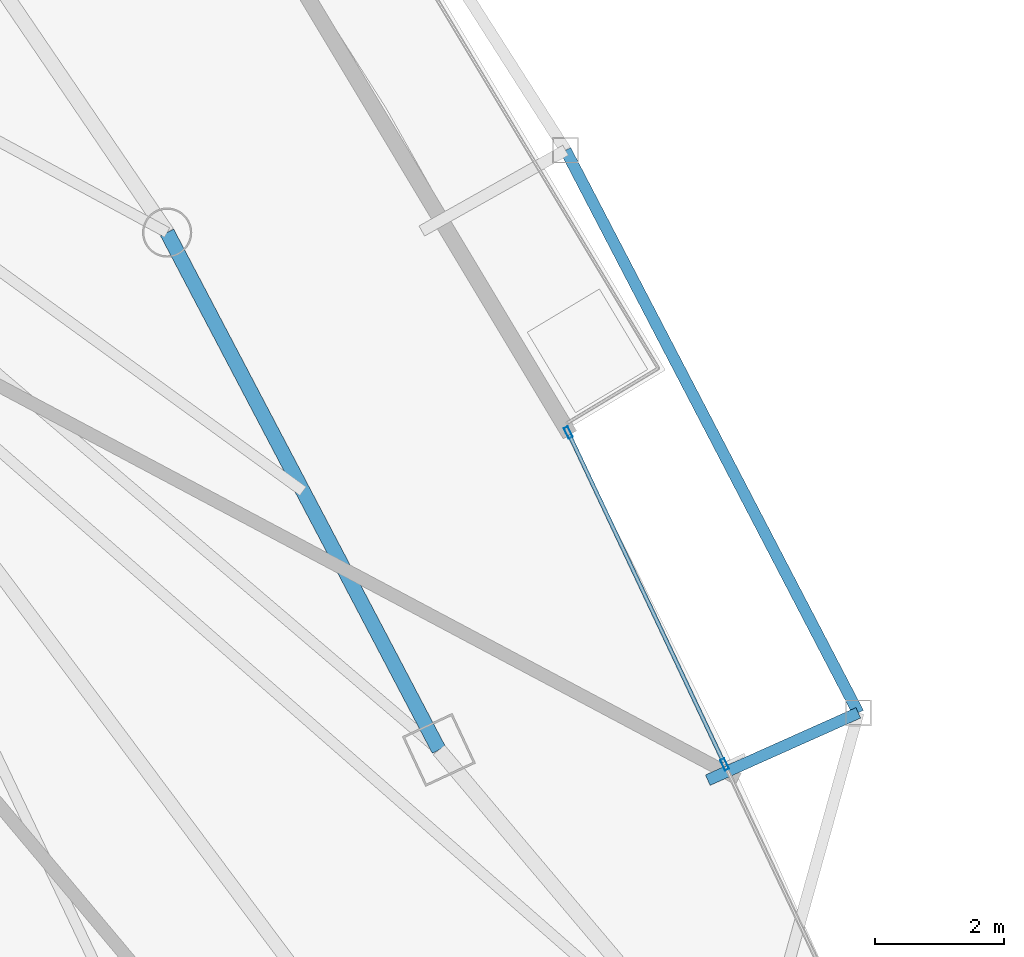
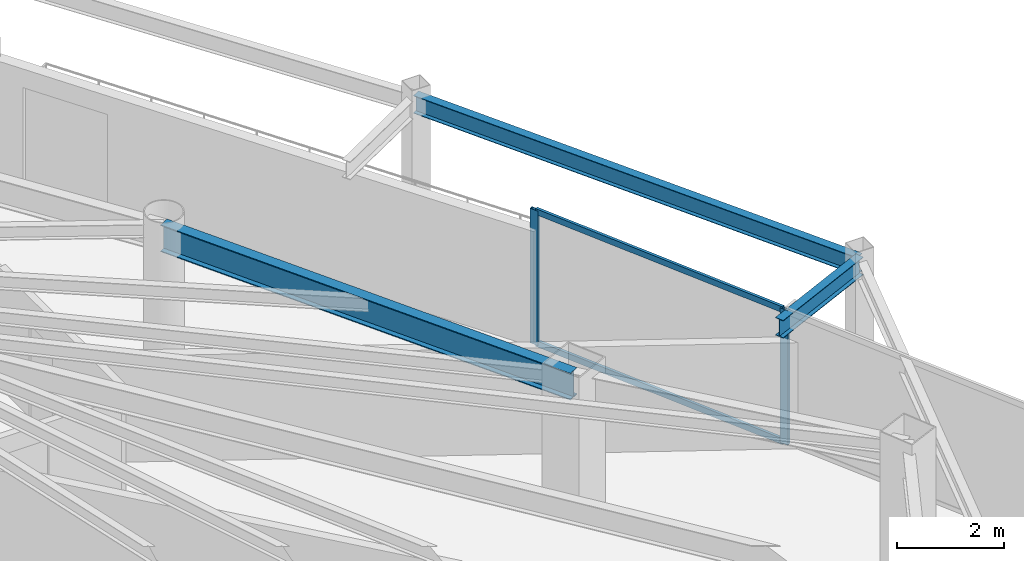
# One storey, part 17 of 31: 4 members, 3 beams, 1 element without a shape of its own.
"""IFC4 building model written with IfcOpenShell, lengths in metres."""

from ifc_helpers import new_model, si_unit, direction, frame, origin, origin_2d, place, context, subcontext, project, spatial, hollow_rectangle, i_section, extrude, material, layer, layer_set, material_profile, profile_set, type_object, element, aggregate, save


model = new_model("IFC4")

# Units and contexts
model_context = context("Model", 3, precision=1e-05, world=origin(), true_north=direction((0.0, 1.0)))
body_context = subcontext(model_context, "Body", "Model", "MODEL_VIEW")
ifc_project = project(units=[si_unit("LENGTHUNIT", "METRE"), si_unit("AREAUNIT", "SQUARE_METRE"), si_unit("VOLUMEUNIT", "CUBIC_METRE"), si_unit("PLANEANGLEUNIT", "RADIAN"), si_unit("MASSUNIT", "GRAM", prefix="KILO")], contexts=[model_context])

# Site, building, storey
site_placement = place(None, origin())
site = spatial("IfcSite", under=ifc_project, at=site_placement, CompositionType="ELEMENT")
building_placement = place(site_placement, origin())
building = spatial("IfcBuilding", under=site, at=building_placement, Name="Orvanel Arch Residences", CompositionType="ELEMENT")
storey_placement = place(building_placement, frame((0.0, 0.0, 129.800048828125)))
storey = spatial("IfcBuildingStorey", under=building, at=storey_placement, Name="L36", CompositionType="ELEMENT", Elevation=129.800048828125)

# Curtain wall, members
ifc_material_1 = material(Name="Bronze-anodised aluminium AA6063-T6", Category="aluminium")
ifc_layer = layer(ifc_material_1, 0.179931640625)
ifc_layer_set = layer_set([ifc_layer], Name="Bronze-anodised aluminium AA6063-T6")
curtain_wall_type = type_object("IfcCurtainWallType", Name="CW3-MID-SYS", PredefinedType="NOTDEFINED", material=ifc_layer_set)
curtain_wall_placement = place(storey_placement, origin())
curtain_wall = element("IfcCurtainWall", 1, at=curtain_wall_placement, inside=storey, type_object=curtain_wall_type, Name="L36 CW3-MID-SYS Unitised Curtain Wall", PredefinedType="NOTDEFINED")
ifc_material_profile_1 = material_profile(ifc_material_1, hollow_rectangle(XDim=0.070068359375, YDim=0.179931640625, WallThickness=0.00439453125, at=origin_2d()), Name="ALU180x70x4.5")
ifc_profile_set_1 = profile_set([ifc_material_profile_1], Name="Bronze-anodised aluminium AA6063-T6")
member_type_1 = type_object("IfcMemberType", Name="MUL-180x70", PredefinedType="MULLION", material=ifc_profile_set_1)
member_1_placement = place(storey_placement, frame((54.050537109375, 19.41796875, 0.0), z_axis=(0.0, 0.0, 1.0), x_axis=(-0.904626023981, -0.426206237326, 0.0)))
member_1 = element("IfcMember", 2, at=member_1_placement, type_object=member_type_1, Name="CW-S3 mullion 2", PredefinedType="MULLION", context=body_context, shape_type="SweptSolid", body=[
    extrude(hollow_rectangle(XDim=0.070068359375, YDim=0.179931640625, WallThickness=0.00439453125, at=origin_2d()), origin(), (0.0, 0.0, 1.0), 3.06005859375),
])
member_2_placement = place(storey_placement, frame((51.6328125, 24.54931640625, 0.0), z_axis=(0.0, 0.0, 1.0), x_axis=(-0.904626023981, -0.426206237326, 0.0)))
member_2 = element("IfcMember", 3, at=member_2_placement, type_object=member_type_1, Name="CW-S3 mullion 3", PredefinedType="MULLION", context=body_context, shape_type="SweptSolid", body=[
    extrude(hollow_rectangle(XDim=0.070068359375, YDim=0.179931640625, WallThickness=0.00439453125, at=origin_2d()), origin(), (0.0, 0.0, 1.0), 3.06005859375),
])

# Beams
ifc_material_2 = material(Name="Structural steel AS/NZS 3679.1 Grade 300 (300 MPa)", Category="steel")
ifc_material_profile_2 = material_profile(ifc_material_2, i_section(OverallWidth=0.177978515625, OverallDepth=0.406005859375, WebThickness=0.0078125, FlangeThickness=0.0126953125, at=origin_2d()), Name="410UB59.7")
ifc_profile_set_2 = profile_set([ifc_material_profile_2], Name="Structural steel AS/NZS 3679.1 Grade 300 (300 MPa)")
beam_type_1 = type_object("IfcBeamType", Name="OB-410UB-EXT", PredefinedType="SPANDREL", material=ifc_profile_set_2)
beam_1_placement = place(storey_placement, frame((53.7900390625, 19.174072265625, 2.85693359375), z_axis=(0.912877409739, 0.408233799174, 0.0), x_axis=(-0.408233799174, 0.912877409739, 0.0)))
element("IfcBeam", 4, at=beam_1_placement, inside=storey, type_object=beam_type_1, Name="L36 Outer Frame Radial Tie Beam 09", PredefinedType="SPANDREL", context=body_context, shape_type="SweptSolid", body=[
    extrude(i_section(OverallWidth=0.177978515625, OverallDepth=0.406005859375, WebThickness=0.0078125, FlangeThickness=0.0126953125, at=origin_2d()), origin(), (0.0, 0.0, 1.0), 2.550048828125),
])
beam_2_placement = place(storey_placement, frame((56.117919921875, 20.215087890625, 2.85693359375), z_axis=(-0.461546353988, 0.887116093373, 0.0), x_axis=(-0.887116093373, -0.461546353988, 0.0)))
element("IfcBeam", 5, at=beam_2_placement, inside=storey, type_object=beam_type_1, Name="L36 Outer Perimeter Floor Ring Beam 09", PredefinedType="SPANDREL", context=body_context, shape_type="SweptSolid", body=[
    extrude(i_section(OverallWidth=0.177978515625, OverallDepth=0.406005859375, WebThickness=0.0078125, FlangeThickness=0.0126953125, at=origin_2d()), origin(), (0.0, 0.0, 1.0), 9.805908203125),
])
ifc_material_profile_3 = material_profile(ifc_material_2, i_section(OverallWidth=0.22900390625, OverallDepth=0.612060546875, WebThickness=0.011962890625, FlangeThickness=0.01953125, at=origin_2d()), Name="610UB125")
ifc_profile_set_3 = profile_set([ifc_material_profile_3], Name="Structural steel AS/NZS 3679.1 Grade 300 (300 MPa)")
beam_type_2 = type_object("IfcBeamType", Name="SP-610UB", PredefinedType="SPANDREL", material=ifc_profile_set_3)
beam_3_placement = place(storey_placement, frame((49.633056640625, 19.64208984375, 2.75390625), z_axis=(-0.465064762793, 0.885276660942, 0.0), x_axis=(-0.885276660942, -0.465064762793, 0.0)))
element("IfcBeam", 6, at=beam_3_placement, inside=storey, type_object=beam_type_2, Name="L36 Perimeter Spandrel Beam 11", PredefinedType="SPANDREL", context=body_context, shape_type="SweptSolid", body=[
    extrude(i_section(OverallWidth=0.22900390625, OverallDepth=0.612060546875, WebThickness=0.011962890625, FlangeThickness=0.01953125, at=origin_2d()), origin(), (0.0, 0.0, 1.0), 9.03564453125),
])

# Member
ifc_material_profile_4 = material_profile(ifc_material_1, hollow_rectangle(XDim=0.06005859375, YDim=0.135009765625, WallThickness=0.00390625, at=origin_2d()), Name="ALU135x60x4")
ifc_profile_set_4 = profile_set([ifc_material_profile_4], Name="Bronze-anodised aluminium AA6063-T6")
member_type_2 = type_object("IfcMemberType", Name="TRN-135x60", PredefinedType="USERDEFINED", material=ifc_profile_set_4)
member_3_placement = place(storey_placement, frame((54.03564453125, 19.44970703125, 0.030029296875), z_axis=(-0.426208344107, 0.904625031388, 0.0), x_axis=(-0.904625031388, -0.426208344107, 0.0)))
member_3 = element("IfcMember", 7, at=member_3_placement, type_object=member_type_2, Name="CW-S3 transom 2.1", ObjectType="TRANSOM", PredefinedType="USERDEFINED", context=body_context, shape_type="SweptSolid", body=[
    extrude(hollow_rectangle(XDim=0.06005859375, YDim=0.135009765625, WallThickness=0.00390625, at=origin_2d()), origin(), (0.0, 0.0, 1.0), 5.602294921875),
])

member_4_placement = place(storey_placement, frame((54.03564453125, 19.44970703125, 3.030029296875), z_axis=(-0.426208344107, 0.904625031388, 0.0), x_axis=(-0.904625031388, -0.426208344107, 0.0)))
member_4 = element("IfcMember", 8, at=member_4_placement, type_object=member_type_2, Name="CW-S3 transom 2.2", ObjectType="TRANSOM", PredefinedType="USERDEFINED", context=body_context, shape_type="SweptSolid", body=[
    extrude(hollow_rectangle(XDim=0.06005859375, YDim=0.135009765625, WallThickness=0.00390625, at=origin_2d()), origin(), (0.0, 0.0, 1.0), 5.602294921875),
])

aggregate(curtain_wall, [member_1, member_2, member_3, member_4])

save(model, "model.ifc")
